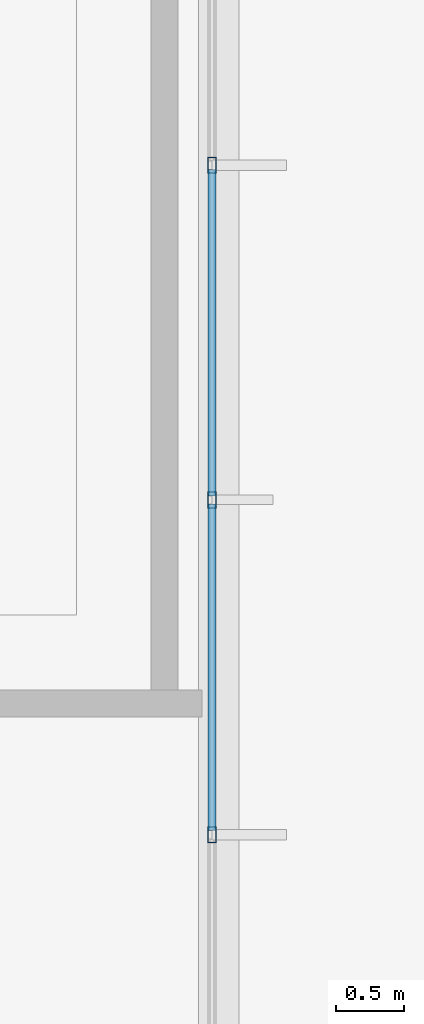
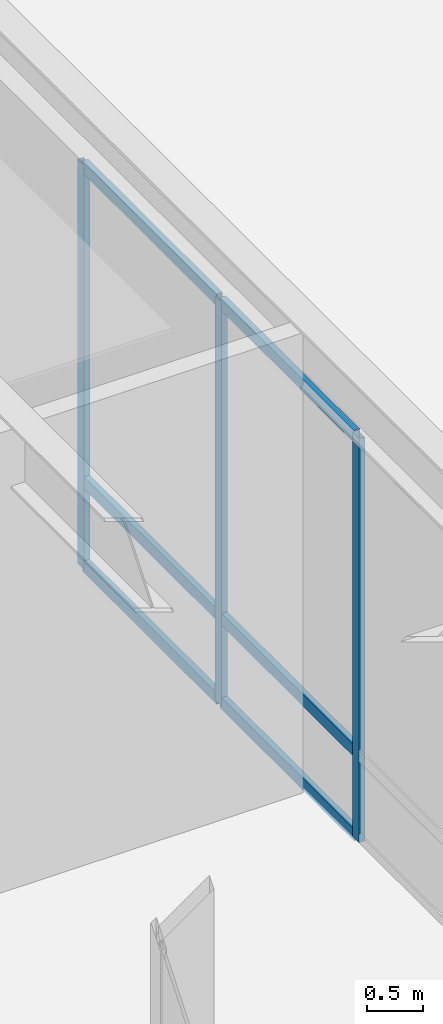
# One storey, part 73 of 143: 9 members, 1 element without a shape of its own.
"""IFC4 building model written with IfcOpenShell, lengths in metres."""

from ifc_helpers import new_model, si_unit, direction, frame, origin, origin_2d, place, context, subcontext, project, spatial, hollow_rectangle, extrude, material, layer, layer_set, material_profile, profile_set, type_object, element, aggregate, save


model = new_model("IFC4")

# Units and contexts
model_context = context("Model", 3, precision=1e-05, world=origin(), true_north=direction((0.0, 1.0)))
body_context = subcontext(model_context, "Body", "Model", "MODEL_VIEW")
ifc_project = project(units=[si_unit("LENGTHUNIT", "METRE"), si_unit("AREAUNIT", "SQUARE_METRE"), si_unit("VOLUMEUNIT", "CUBIC_METRE"), si_unit("PLANEANGLEUNIT", "RADIAN"), si_unit("MASSUNIT", "GRAM", prefix="KILO")], contexts=[model_context])

# Site, building, storey
site_placement = place(None, origin())
site = spatial("IfcSite", under=ifc_project, at=site_placement, CompositionType="ELEMENT")
building_placement = place(site_placement, origin())
building = spatial("IfcBuilding", under=site, at=building_placement, Name="Montelvaro Courts of Justice", CompositionType="ELEMENT")
storey_placement = place(building_placement, origin())
storey = spatial("IfcBuildingStorey", under=building, at=storey_placement, Name="L00", CompositionType="ELEMENT", Elevation=0.0)

# Curtain wall, members
ifc_material = material(Name="Anodised aluminium EN AW-6063", Category="aluminium")
ifc_layer = layer(ifc_material, 0.159912109375)
ifc_layer_set = layer_set([ifc_layer], Name="Anodised aluminium EN AW-6063")
curtain_wall_type = type_object("IfcCurtainWallType", Name="CurtainWall_02_1727x508", PredefinedType="USERDEFINED", material=ifc_layer_set)
curtain_wall_placement = place(storey_placement, origin())
curtain_wall = element("IfcCurtainWall", 1, at=curtain_wall_placement, inside=storey, type_object=curtain_wall_type, Name="Curtain Wall CW-02 (L00)", ObjectType="CURTAIN WALL", PredefinedType="USERDEFINED")
ifc_material_profile_1 = material_profile(ifc_material, hollow_rectangle(XDim=0.06005859375, YDim=0.1201171875, WallThickness=0.00341796875, at=origin_2d()), Name="ALU-M 60x120")
ifc_profile_set_1 = profile_set([ifc_material_profile_1], Name="Anodised aluminium EN AW-6063")
member_type_1 = type_object("IfcMemberType", Name="CurtainWall_Mullion_60x120", PredefinedType="MULLION", material=ifc_profile_set_1)
member_1_placement = place(storey_placement, frame((80.949951171875, 80.83203125, 0.0), z_axis=(0.0, 0.0, 1.0), x_axis=(-1.0, 0.0, 0.0)))
member_1 = element("IfcMember", 2, at=member_1_placement, type_object=member_type_1, Name="CW-02 mullion 2", PredefinedType="MULLION", context=body_context, shape_type="SweptSolid", body=[
    extrude(hollow_rectangle(XDim=0.06005859375, YDim=0.1201171875, WallThickness=0.00341796875, at=origin_2d()), origin(), (0.0, 0.0, 1.0), 4.425048828125),
])
member_2_placement = place(storey_placement, frame((80.949951171875, 83.29931640625, 0.0), z_axis=(0.0, 0.0, 1.0), x_axis=(-1.0, 0.0, 0.0)))
member_2 = element("IfcMember", 3, at=member_2_placement, type_object=member_type_1, Name="CW-02 mullion 3", PredefinedType="MULLION", context=body_context, shape_type="SweptSolid", body=[
    extrude(hollow_rectangle(XDim=0.06005859375, YDim=0.1201171875, WallThickness=0.00341796875, at=origin_2d()), origin(), (0.0, 0.0, 1.0), 4.425048828125),
])
member_3_placement = place(storey_placement, frame((80.949951171875, 85.766357421875, 0.0), z_axis=(0.0, 0.0, 1.0), x_axis=(-1.0, 0.0, 0.0)))
member_3 = element("IfcMember", 4, at=member_3_placement, type_object=member_type_1, Name="CW-02 mullion 4", PredefinedType="MULLION", context=body_context, shape_type="SweptSolid", body=[
    extrude(hollow_rectangle(XDim=0.06005859375, YDim=0.1201171875, WallThickness=0.00341796875, at=origin_2d()), origin(), (0.0, 0.0, 1.0), 4.425048828125),
])
ifc_material_profile_2 = material_profile(ifc_material, hollow_rectangle(XDim=0.06005859375, YDim=0.1298828125, WallThickness=0.00390625, at=origin_2d()), Name="ALU-T 60x130")
ifc_profile_set_2 = profile_set([ifc_material_profile_2], Name="Anodised aluminium EN AW-6063")
member_type_2 = type_object("IfcMemberType", Name="CurtainWall_Transom_60x130", PredefinedType="USERDEFINED", material=ifc_profile_set_2)
member_4_placement = place(storey_placement, frame((80.949951171875, 80.862060546875, 0.030029296875), z_axis=(0.0, 1.0, 0.0), x_axis=(-1.0, 0.0, 0.0)))
member_4 = element("IfcMember", 5, at=member_4_placement, type_object=member_type_2, Name="CW-02 transom 2.1", ObjectType="TRANSOM", PredefinedType="USERDEFINED", context=body_context, shape_type="SweptSolid", body=[
    extrude(hollow_rectangle(XDim=0.06005859375, YDim=0.1298828125, WallThickness=0.00390625, at=origin_2d()), origin(), (0.0, 0.0, 1.0), 2.4072265625),
])
member_5_placement = place(storey_placement, frame((80.949951171875, 80.862060546875, 0.949951171875), z_axis=(0.0, 1.0, 0.0), x_axis=(-1.0, 0.0, 0.0)))
member_5 = element("IfcMember", 6, at=member_5_placement, type_object=member_type_2, Name="CW-02 transom 2.2", ObjectType="TRANSOM", PredefinedType="USERDEFINED", context=body_context, shape_type="SweptSolid", body=[
    extrude(hollow_rectangle(XDim=0.06005859375, YDim=0.1298828125, WallThickness=0.00390625, at=origin_2d()), origin(), (0.0, 0.0, 1.0), 2.4072265625),
])
member_6_placement = place(storey_placement, frame((80.949951171875, 80.862060546875, 4.39501953125), z_axis=(0.0, 1.0, 0.0), x_axis=(-1.0, 0.0, 0.0)))
member_6 = element("IfcMember", 7, at=member_6_placement, type_object=member_type_2, Name="CW-02 transom 2.3", ObjectType="TRANSOM", PredefinedType="USERDEFINED", context=body_context, shape_type="SweptSolid", body=[
    extrude(hollow_rectangle(XDim=0.06005859375, YDim=0.1298828125, WallThickness=0.00390625, at=origin_2d()), origin(), (0.0, 0.0, 1.0), 2.4072265625),
])
member_7_placement = place(storey_placement, frame((80.949951171875, 83.329345703125, 0.030029296875), z_axis=(0.0, 1.0, 0.0), x_axis=(-1.0, 0.0, 0.0)))
member_7 = element("IfcMember", 8, at=member_7_placement, type_object=member_type_2, Name="CW-02 transom 3.1", ObjectType="TRANSOM", PredefinedType="USERDEFINED", context=body_context, shape_type="SweptSolid", body=[
    extrude(hollow_rectangle(XDim=0.06005859375, YDim=0.1298828125, WallThickness=0.00390625, at=origin_2d()), origin(), (0.0, 0.0, 1.0), 2.406982421875),
])
member_8_placement = place(storey_placement, frame((80.949951171875, 83.329345703125, 0.949951171875), z_axis=(0.0, 1.0, 0.0), x_axis=(-1.0, 0.0, 0.0)))
member_8 = element("IfcMember", 9, at=member_8_placement, type_object=member_type_2, Name="CW-02 transom 3.2", ObjectType="TRANSOM", PredefinedType="USERDEFINED", context=body_context, shape_type="SweptSolid", body=[
    extrude(hollow_rectangle(XDim=0.06005859375, YDim=0.1298828125, WallThickness=0.00390625, at=origin_2d()), origin(), (0.0, 0.0, 1.0), 2.406982421875),
])
member_9_placement = place(storey_placement, frame((80.949951171875, 83.329345703125, 4.39501953125), z_axis=(0.0, 1.0, 0.0), x_axis=(-1.0, 0.0, 0.0)))
member_9 = element("IfcMember", 10, at=member_9_placement, type_object=member_type_2, Name="CW-02 transom 3.3", ObjectType="TRANSOM", PredefinedType="USERDEFINED", context=body_context, shape_type="SweptSolid", body=[
    extrude(hollow_rectangle(XDim=0.06005859375, YDim=0.1298828125, WallThickness=0.00390625, at=origin_2d()), origin(), (0.0, 0.0, 1.0), 2.406982421875),
])
aggregate(curtain_wall, [member_1, member_2, member_3, member_4, member_5, member_6, member_7, member_8, member_9])

save(model, "model.ifc")
